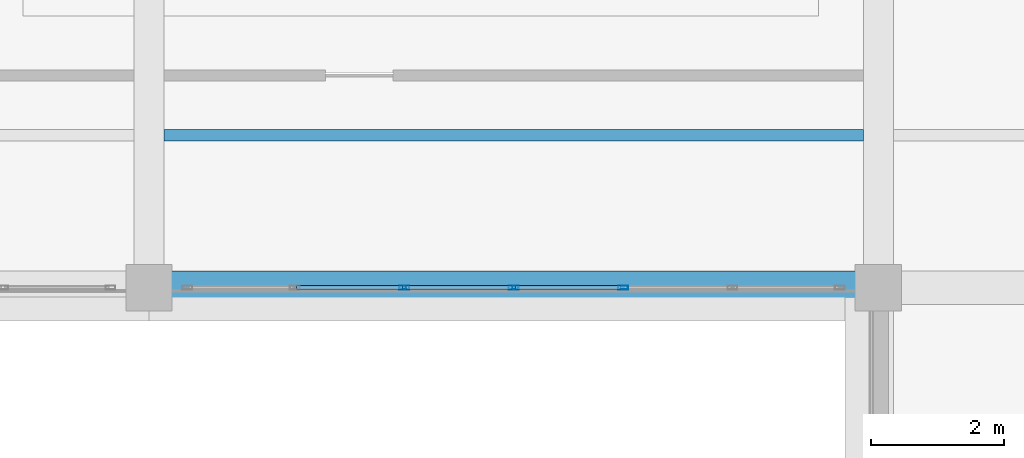
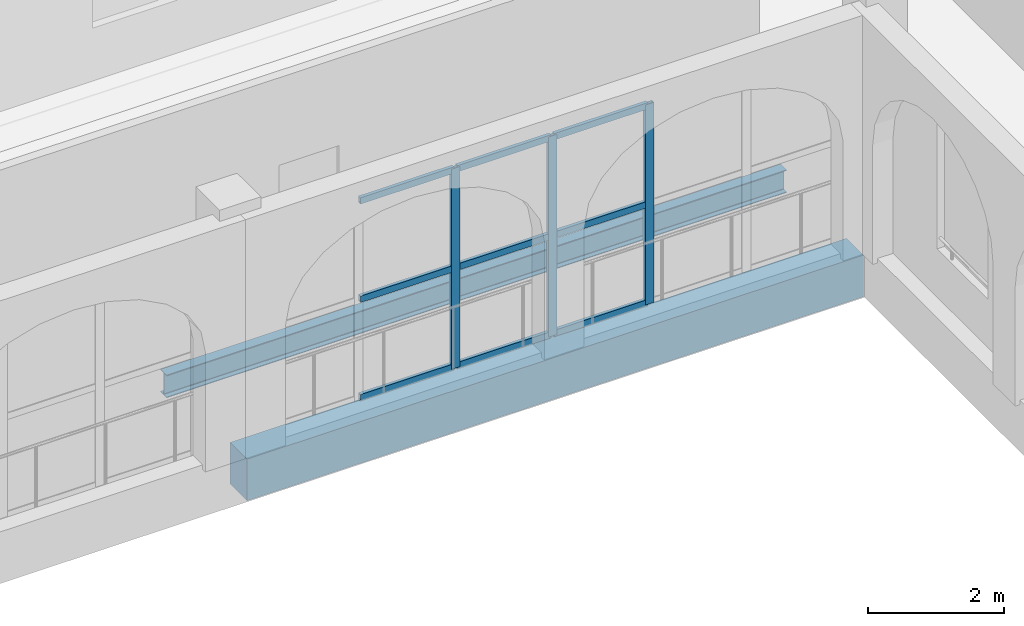
# One storey, part 54 of 156: 12 members, 2 beams, 1 element without a shape of its own.
"""IFC4 building model written with IfcOpenShell, lengths in metres."""

from ifc_helpers import new_model, si_unit, direction, frame, origin, origin_2d, place, context, subcontext, project, spatial, rectangle, hollow_rectangle, i_section, extrude, material, material_profile, profile_set, type_object, element, aggregate, save


model = new_model("IFC4")

# Units and contexts
model_context = context("Model", 3, precision=1e-05, world=origin(), true_north=direction((0.0, 1.0)))
body_context = subcontext(model_context, "Body", "Model", "MODEL_VIEW")
ifc_project = project(units=[si_unit("LENGTHUNIT", "METRE"), si_unit("AREAUNIT", "SQUARE_METRE"), si_unit("VOLUMEUNIT", "CUBIC_METRE"), si_unit("PLANEANGLEUNIT", "RADIAN"), si_unit("MASSUNIT", "GRAM", prefix="KILO")], contexts=[model_context])

# Site, building, storey
site_placement = place(None, origin())
site = spatial("IfcSite", under=ifc_project, at=site_placement, CompositionType="ELEMENT")
building_placement = place(site_placement, origin())
building = spatial("IfcBuilding", under=site, at=building_placement, Name="Caurita Quay Ferry Terminal", CompositionType="ELEMENT")
storey_placement = place(building_placement, frame((0.0, 0.0, 5.39990234375)))
storey = spatial("IfcBuildingStorey", under=building, at=storey_placement, Name="L01", CompositionType="ELEMENT", Elevation=5.39990234375)

# Beams
ifc_material_1 = material(Name="Structural steel ASTM A992 Gr. 50", Category="steel")
ifc_material_profile_1 = material_profile(ifc_material_1, i_section(OverallWidth=0.1787109375, OverallDepth=0.408935546875, WebThickness=0.0087890625, FlangeThickness=0.014404296875, FilletRadius=0.011474609375, at=origin_2d()), Name="W16X45")
ifc_profile_set_1 = profile_set([ifc_material_profile_1], Name="Structural steel ASTM A992 Gr. 50")
beam_type_1 = type_object("IfcBeamType", Name="BM-JS-W16A", PredefinedType="JOIST", material=ifc_profile_set_1)
beam_1_placement = place(storey_placement, frame((55.22509765625, 110.10009765625, -0.42431640625), z_axis=(1.0, 0.0, 0.0), x_axis=(0.0, 1.0, 0.0)))
element("IfcBeam", 1, at=beam_1_placement, inside=storey, type_object=beam_type_1, Name="L01 Beam JS-V5-L01-039", PredefinedType="JOIST", context=body_context, shape_type="SweptSolid", body=[
    extrude(i_section(OverallWidth=0.1787109375, OverallDepth=0.408935546875, WebThickness=0.0087890625, FlangeThickness=0.014404296875, FilletRadius=0.011474609375, at=origin_2d()), origin(), (0.0, 0.0, 1.0), 10.5498046875),
])
ifc_material_2 = material(Name="Reinforced concrete C35/45", Category="concrete")
ifc_material_profile_2 = material_profile(ifc_material_2, rectangle(XDim=0.5, YDim=0.75, at=origin_2d()), Name="RC-BM-500X750")
ifc_profile_set_2 = profile_set([ifc_material_profile_2], Name="Reinforced concrete C35/45")
beam_type_2 = type_object("IfcBeamType", Name="BM-RC-5075", PredefinedType="BEAM", material=ifc_profile_set_2)
beam_2_placement = place(storey_placement, frame((55.1748046875, 107.800048828125, -0.594970703125), z_axis=(1.0, 0.0, 0.0), x_axis=(0.0, 1.0, 0.0)))
element("IfcBeam", 2, at=beam_2_placement, inside=storey, type_object=beam_type_2, Name="L01 Beam BM-V5-L01-X-552-1078", PredefinedType="BEAM", context=body_context, shape_type="SweptSolid", body=[
    extrude(rectangle(XDim=0.5, YDim=0.75, at=origin_2d()), origin(), (0.0, 0.0, 1.0), 10.485107421875),
])

# Curtain wall, members
ifc_material_3 = material(Name="Laminated solar-control insulated glass", Category="glass")
curtain_wall_type = type_object("IfcCurtainWallType", Name="CW-SYS-23", PredefinedType="NOTDEFINED", material=ifc_material_3)
curtain_wall_placement = place(storey_placement, origin())
curtain_wall = element("IfcCurtainWall", 3, at=curtain_wall_placement, inside=storey, type_object=curtain_wall_type, Name="L01 Courtyard Cloister Storefront 163", PredefinedType="NOTDEFINED")
ifc_material_4 = material(Name="Anodized aluminium 6063-T6", Category="aluminium")
ifc_material_profile_3 = material_profile(ifc_material_4, hollow_rectangle(XDim=0.06005859375, YDim=0.14990234375, WallThickness=0.00341796875, at=origin_2d()), Name="ALU-MUL-60X150")
ifc_profile_set_3 = profile_set([ifc_material_profile_3], Name="Anodized aluminium 6063-T6")
member_type_1 = type_object("IfcMemberType", Name="CW-MUL-150", PredefinedType="MULLION", material=ifc_profile_set_3)
member_1_placement = place(storey_placement, frame((58.85009765625, 107.800048828125, 0.0), z_axis=(0.0, 0.0, 1.0), x_axis=(0.0, 1.0, 0.0)))
member_1 = element("IfcMember", 4, at=member_1_placement, type_object=member_type_1, Name="CW-CRT-163 Mullion 3", PredefinedType="MULLION", context=body_context, shape_type="SweptSolid", body=[
    extrude(hollow_rectangle(XDim=0.06005859375, YDim=0.14990234375, WallThickness=0.00341796875, at=origin_2d()), origin(), (0.0, 0.0, 1.0), 3.60009765625),
])
member_2_placement = place(storey_placement, frame((60.5, 107.800048828125, 0.0), z_axis=(0.0, 0.0, 1.0), x_axis=(0.0, 1.0, 0.0)))
member_2 = element("IfcMember", 5, at=member_2_placement, type_object=member_type_1, Name="CW-CRT-163 Mullion 4", PredefinedType="MULLION", context=body_context, shape_type="SweptSolid", body=[
    extrude(hollow_rectangle(XDim=0.06005859375, YDim=0.14990234375, WallThickness=0.00341796875, at=origin_2d()), origin(), (0.0, 0.0, 1.0), 3.60009765625),
])
member_3_placement = place(storey_placement, frame((62.14990234375, 107.800048828125, 0.0), z_axis=(0.0, 0.0, 1.0), x_axis=(0.0, 1.0, 0.0)))
member_3 = element("IfcMember", 6, at=member_3_placement, type_object=member_type_1, Name="CW-CRT-163 Mullion 5", PredefinedType="MULLION", context=body_context, shape_type="SweptSolid", body=[
    extrude(hollow_rectangle(XDim=0.06005859375, YDim=0.14990234375, WallThickness=0.00341796875, at=origin_2d()), origin(), (0.0, 0.0, 1.0), 3.60009765625),
])
ifc_material_profile_4 = material_profile(ifc_material_4, hollow_rectangle(XDim=0.06005859375, YDim=0.114990234375, WallThickness=0.00341796875, at=origin_2d()), Name="ALU-TRN-60X115")
ifc_profile_set_4 = profile_set([ifc_material_profile_4], Name="Anodized aluminium 6063-T6")
member_type_2 = type_object("IfcMemberType", Name="CW-TRN-115", PredefinedType="USERDEFINED", material=ifc_profile_set_4)
member_4_placement = place(storey_placement, frame((57.22802734375, 107.800048828125, 0.030029296875), z_axis=(1.0, 0.0, 0.0), x_axis=(0.0, 1.0, 0.0)))
member_4 = element("IfcMember", 7, at=member_4_placement, type_object=member_type_2, Name="CW-CRT-163 Transom 4", ObjectType="TRANSOM", PredefinedType="USERDEFINED", context=body_context, shape_type="SweptSolid", body=[
    extrude(hollow_rectangle(XDim=0.06005859375, YDim=0.114990234375, WallThickness=0.00341796875, at=origin_2d()), origin(), (0.0, 0.0, 1.0), 1.593994140625),
])
member_5_placement = place(storey_placement, frame((57.22802734375, 107.800048828125, 1.800048828125), z_axis=(1.0, 0.0, 0.0), x_axis=(0.0, 1.0, 0.0)))
member_5 = element("IfcMember", 8, at=member_5_placement, type_object=member_type_2, Name="CW-CRT-163 Transom 5", ObjectType="TRANSOM", PredefinedType="USERDEFINED", context=body_context, shape_type="SweptSolid", body=[
    extrude(hollow_rectangle(XDim=0.06005859375, YDim=0.114990234375, WallThickness=0.00341796875, at=origin_2d()), origin(), (0.0, 0.0, 1.0), 1.593994140625),
])
member_6_placement = place(storey_placement, frame((57.22802734375, 107.800048828125, 3.570068359375), z_axis=(1.0, 0.0, 0.0), x_axis=(0.0, 1.0, 0.0)))
member_6 = element("IfcMember", 9, at=member_6_placement, type_object=member_type_2, Name="CW-CRT-163 Transom 6", ObjectType="TRANSOM", PredefinedType="USERDEFINED", context=body_context, shape_type="SweptSolid", body=[
    extrude(hollow_rectangle(XDim=0.06005859375, YDim=0.114990234375, WallThickness=0.00341796875, at=origin_2d()), origin(), (0.0, 0.0, 1.0), 1.593994140625),
])
member_7_placement = place(storey_placement, frame((58.8779296875, 107.800048828125, 0.030029296875), z_axis=(1.0, 0.0, 0.0), x_axis=(0.0, 1.0, 0.0)))
member_7 = element("IfcMember", 10, at=member_7_placement, type_object=member_type_2, Name="CW-CRT-163 Transom 7", ObjectType="TRANSOM", PredefinedType="USERDEFINED", context=body_context, shape_type="SweptSolid", body=[
    extrude(hollow_rectangle(XDim=0.06005859375, YDim=0.114990234375, WallThickness=0.00341796875, at=origin_2d()), origin(), (0.0, 0.0, 1.0), 1.593994140625),
])
member_8_placement = place(storey_placement, frame((58.8779296875, 107.800048828125, 1.800048828125), z_axis=(1.0, 0.0, 0.0), x_axis=(0.0, 1.0, 0.0)))
member_8 = element("IfcMember", 11, at=member_8_placement, type_object=member_type_2, Name="CW-CRT-163 Transom 8", ObjectType="TRANSOM", PredefinedType="USERDEFINED", context=body_context, shape_type="SweptSolid", body=[
    extrude(hollow_rectangle(XDim=0.06005859375, YDim=0.114990234375, WallThickness=0.00341796875, at=origin_2d()), origin(), (0.0, 0.0, 1.0), 1.593994140625),
])
member_9_placement = place(storey_placement, frame((58.8779296875, 107.800048828125, 3.570068359375), z_axis=(1.0, 0.0, 0.0), x_axis=(0.0, 1.0, 0.0)))
member_9 = element("IfcMember", 12, at=member_9_placement, type_object=member_type_2, Name="CW-CRT-163 Transom 9", ObjectType="TRANSOM", PredefinedType="USERDEFINED", context=body_context, shape_type="SweptSolid", body=[
    extrude(hollow_rectangle(XDim=0.06005859375, YDim=0.114990234375, WallThickness=0.00341796875, at=origin_2d()), origin(), (0.0, 0.0, 1.0), 1.593994140625),
])
member_10_placement = place(storey_placement, frame((60.528076171875, 107.800048828125, 0.030029296875), z_axis=(1.0, 0.0, 0.0), x_axis=(0.0, 1.0, 0.0)))
member_10 = element("IfcMember", 13, at=member_10_placement, type_object=member_type_2, Name="CW-CRT-163 Transom 10", ObjectType="TRANSOM", PredefinedType="USERDEFINED", context=body_context, shape_type="SweptSolid", body=[
    extrude(hollow_rectangle(XDim=0.06005859375, YDim=0.114990234375, WallThickness=0.00341796875, at=origin_2d()), origin(), (0.0, 0.0, 1.0), 1.593994140625),
])
member_11_placement = place(storey_placement, frame((60.528076171875, 107.800048828125, 1.800048828125), z_axis=(1.0, 0.0, 0.0), x_axis=(0.0, 1.0, 0.0)))
member_11 = element("IfcMember", 14, at=member_11_placement, type_object=member_type_2, Name="CW-CRT-163 Transom 11", ObjectType="TRANSOM", PredefinedType="USERDEFINED", context=body_context, shape_type="SweptSolid", body=[
    extrude(hollow_rectangle(XDim=0.06005859375, YDim=0.114990234375, WallThickness=0.00341796875, at=origin_2d()), origin(), (0.0, 0.0, 1.0), 1.593994140625),
])
member_12_placement = place(storey_placement, frame((60.528076171875, 107.800048828125, 3.570068359375), z_axis=(1.0, 0.0, 0.0), x_axis=(0.0, 1.0, 0.0)))
member_12 = element("IfcMember", 15, at=member_12_placement, type_object=member_type_2, Name="CW-CRT-163 Transom 12", ObjectType="TRANSOM", PredefinedType="USERDEFINED", context=body_context, shape_type="SweptSolid", body=[
    extrude(hollow_rectangle(XDim=0.06005859375, YDim=0.114990234375, WallThickness=0.00341796875, at=origin_2d()), origin(), (0.0, 0.0, 1.0), 1.593994140625),
])
aggregate(curtain_wall, [member_1, member_2, member_3, member_4, member_5, member_6, member_7, member_8, member_9, member_10, member_11, member_12])

save(model, "model.ifc")
